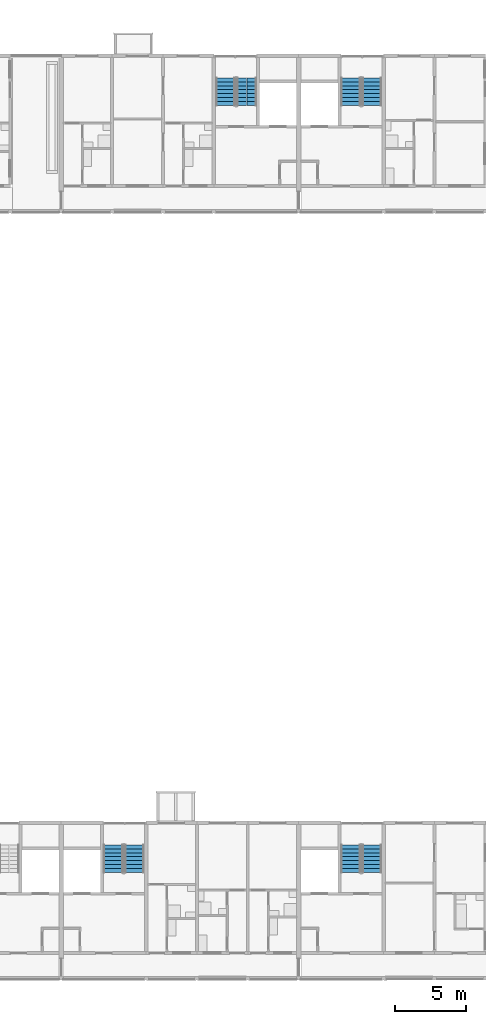
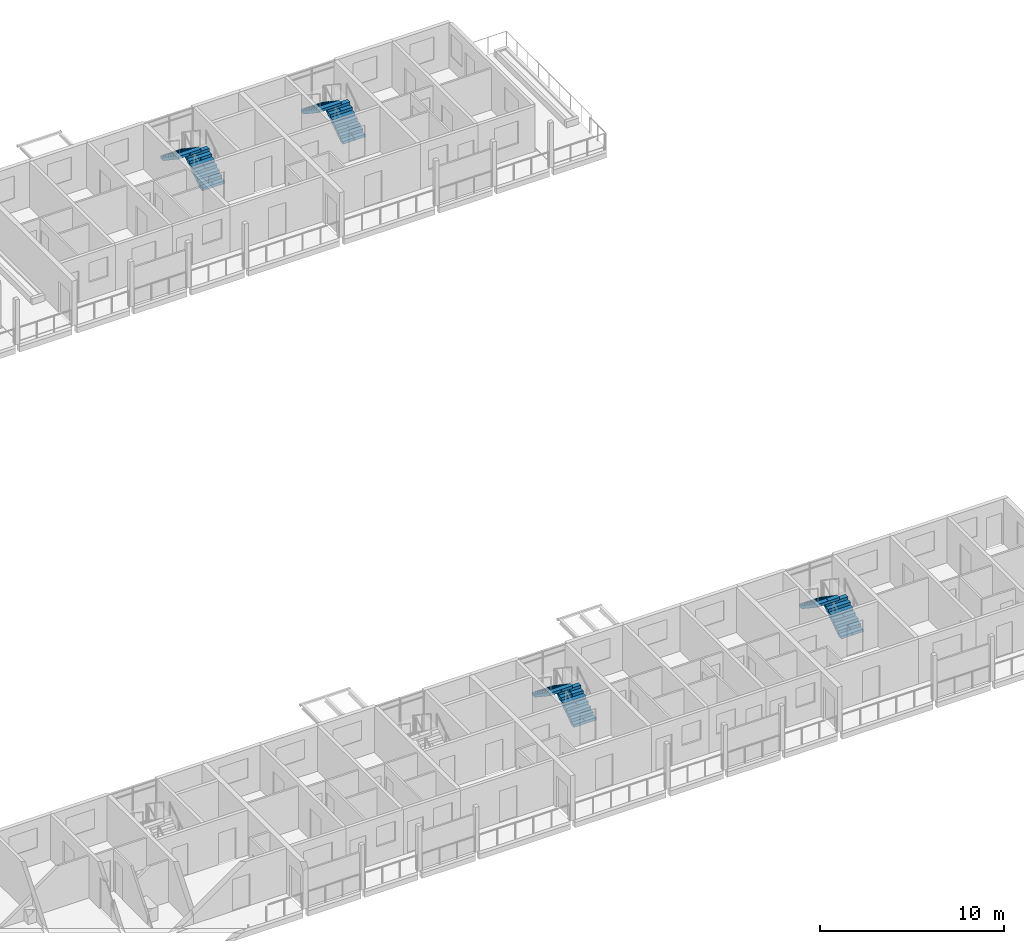
# One storey, part 62 of 94: 8 stair flights, 4 elements without a shape of their own.
"""IFC4 building model written with IfcOpenShell, lengths in metres."""

import ifcopenshell
import ifcopenshell.guid

model = None  # the IFC model being written
_history = None  # IfcOwnerHistory: only IFC2X3 demands one
_inside = {}  # id of a spatial element -> (the spatial element, [elements in it])
_under = {}  # id of a project, library or spatial element -> (it, [spatial elements below it])
_declared = {}  # id of a project -> (the project, [libraries it declares])
_typed = {}  # id of a type object -> (the type object, [elements of that type])
_made_of = {}  # id of a material, layer set ... -> (it, [elements and type objects made of it])


def new_model(schema):
    """Start an empty IFC model of exactly this schema.

    Asked for "IFC4X3", IfcOpenShell would pick the latest addendum, in which some entities
    have other attributes; the version numbers below select the first issue.
    IFC2X3 requires an IfcOwnerHistory on every rooted entity: one is made here for all.
    """
    global model, _history
    if schema == "IFC4X3":
        model = ifcopenshell.file(schema_version=(4, 3, 0, 0))
    else:
        model = ifcopenshell.file(schema=schema)
    _inside.clear()
    _under.clear()
    _declared.clear()
    _typed.clear()
    _made_of.clear()
    _history = None
    if model.schema == "IFC2X3":
        org = make("IfcOrganization", Name="unknown")
        user = make(
            "IfcPersonAndOrganization",
            ThePerson=make("IfcPerson", FamilyName="unknown"),
            TheOrganization=org,
        )
        app = make(
            "IfcApplication",
            ApplicationDeveloper=org,
            Version="unknown",
            ApplicationFullName="unknown",
            ApplicationIdentifier="unknown",
        )
        _history = make(
            "IfcOwnerHistory",
            OwningUser=user,
            OwningApplication=app,
            ChangeAction="ADDED",
            CreationDate=0,
        )
    return model


def make(cls, **values):
    """One entity of the class cls with the attributes given. An attribute that is None is left unset."""
    return model.create_entity(
        cls, **{name: value for name, value in values.items() if value is not None}
    )


def rooted(cls, **values):
    """An entity with a GlobalId (a new one), such as an element, a storey or a relation."""
    return make(cls, GlobalId=ifcopenshell.guid.new(), OwnerHistory=_history, **values)


def si_unit(unit_type, name, prefix=None):
    """IfcSIUnit, for example si_unit("LENGTHUNIT", "METRE", prefix="MILLI")."""
    return make("IfcSIUnit", UnitType=unit_type, Prefix=prefix, Name=name)


def assignment(units):
    """IfcUnitAssignment: the units of a project."""
    return None if units is None else make("IfcUnitAssignment", Units=units)


def point(xyz):
    """IfcCartesianPoint."""
    return None if xyz is None else make("IfcCartesianPoint", Coordinates=xyz)


def direction(xyz):
    """IfcDirection."""
    return None if xyz is None else make("IfcDirection", DirectionRatios=xyz)


def frame(location, z_axis=None, x_axis=None):
    """IfcAxis2Placement3D, a coordinate frame: its origin and axes. An axis left out is left unset."""
    return make(
        "IfcAxis2Placement3D",
        Location=point(location),
        Axis=direction(z_axis),
        RefDirection=direction(x_axis),
    )


def origin():
    """The frame at (0, 0, 0) with its axes left unset."""
    return frame((0.0, 0.0, 0.0))


def place(relative_to, where):
    """IfcLocalPlacement: puts the frame where relative to a parent placement (None: the world)."""
    return make(
        "IfcLocalPlacement", PlacementRelTo=relative_to, RelativePlacement=where
    )


def context(
    kind, dimensions, precision=None, world=None, true_north=None, identifier=None
):
    """IfcGeometricRepresentationContext, for example the 3D "Model" context."""
    return make(
        "IfcGeometricRepresentationContext",
        ContextIdentifier=identifier,
        ContextType=kind,
        CoordinateSpaceDimension=dimensions,
        Precision=precision,
        WorldCoordinateSystem=world,
        TrueNorth=true_north,
    )


def subcontext(parent, identifier, kind, view, scale=None):
    """IfcGeometricRepresentationSubContext, for example "Body" below "Model"."""
    return make(
        "IfcGeometricRepresentationSubContext",
        ContextIdentifier=identifier,
        ContextType=kind,
        ParentContext=parent,
        TargetScale=scale,
        TargetView=view,
    )


def project(units=None, contexts=None):
    """IfcProject with its units and contexts."""
    return rooted(
        "IfcProject",
        Name="project",
        RepresentationContexts=contexts,
        UnitsInContext=assignment(units),
    )


def spatial(cls, under=None, at=None, **own):
    """A site, building, storey or space (cls), placed at a placement, below another one or the project."""
    s = rooted(cls, ObjectPlacement=at, **own)
    if under is not None:
        _under.setdefault(under.id(), (under, []))[1].append(s)
    return s


def polyline(points):
    """IfcPolyline through the points."""
    return make("IfcPolyline", Points=[point(p) for p in points])


def outline(outer, holes=None, kind="AREA"):
    """IfcArbitraryClosedProfileDef: a profile drawn as a closed curve; with holes, ...WithVoids."""
    if holes is None:
        return make("IfcArbitraryClosedProfileDef", ProfileType=kind, OuterCurve=outer)
    return make(
        "IfcArbitraryProfileDefWithVoids",
        ProfileType=kind,
        OuterCurve=outer,
        InnerCurves=holes,
    )


def extrude(swept, where, along, depth):
    """IfcExtrudedAreaSolid: the profile swept, set in the frame where, extruded along a direction by depth."""
    return make(
        "IfcExtrudedAreaSolid",
        SweptArea=swept,
        Position=where,
        ExtrudedDirection=direction(along),
        Depth=depth,
    )


def shape(context_of_items, identifier, shape_type, items):
    """IfcShapeRepresentation: the items that make up one representation, for example the "Body"."""
    return make(
        "IfcShapeRepresentation",
        ContextOfItems=context_of_items,
        RepresentationIdentifier=identifier,
        RepresentationType=shape_type,
        Items=items,
    )


def material(Name=None, Category=None):
    """IfcMaterial."""
    return make("IfcMaterial", Name=Name, Category=Category)


def made_of(thing, what):
    """Note that an element or type object is made of a material, layer set ...; save() writes the relation."""
    if what is not None:
        _made_of.setdefault(what.id(), (what, []))[1].append(thing)
    return thing


def type_object(cls, material=None, **own):
    """A type object (cls), such as IfcWallType, which elements share."""
    return made_of(rooted(cls, **own), material)


def element(
    cls,
    number,
    at=None,
    inside=None,
    cuts=None,
    type_object=None,
    material=None,
    context=None,
    identifier="Body",
    shape_type=None,
    held_by="IfcProductDefinitionShape",
    body=None,
    shapes=None,
    **own,
):
    """One element of the class cls, such as IfcWall. Its Tag is "e" and its number.

    at: its placement. inside: the storey or other place that contains it. cuts: it is an
    opening in that element (IfcRelVoidsElement). A single representation is given by context,
    identifier, shape_type and body (its items); several are given by shapes. held_by: the class
    of the entity that holds the representations. save() writes the other relations.
    """
    e = rooted(cls, Tag="e%d" % number, ObjectPlacement=at, **own)
    if body is not None:
        shapes = [shape(context, identifier, shape_type, body)]
    if shapes is not None:
        e.Representation = make(held_by, Representations=shapes)
    if inside is not None:
        _inside.setdefault(inside.id(), (inside, []))[1].append(e)
    if cuts is not None:
        rooted(
            "IfcRelVoidsElement", RelatingBuildingElement=cuts, RelatedOpeningElement=e
        )
    if type_object is not None:
        _typed.setdefault(type_object.id(), (type_object, []))[1].append(e)
    return made_of(e, material)


def aggregate(whole, parts):
    """IfcRelAggregates: a whole, such as a stair, and the parts it consists of."""
    return rooted("IfcRelAggregates", RelatingObject=whole, RelatedObjects=parts)


def save(model, path):
    """Write the relations noted so far, then the file.

    IfcRelAggregates (storeys below a building ...), IfcRelContainedInSpatialStructure (elements
    in a storey), IfcRelDefinesByType, IfcRelAssociatesMaterial and IfcRelDeclares: one each for
    every whole, place, type object, material and project.
    """
    for whole, parts in _under.values():
        aggregate(whole, parts)
    for where, things in _inside.values():
        rooted(
            "IfcRelContainedInSpatialStructure",
            RelatedElements=things,
            RelatingStructure=where,
        )
    for kind, things in _typed.values():
        rooted("IfcRelDefinesByType", RelatedObjects=things, RelatingType=kind)
    for what, things in _made_of.values():
        rooted("IfcRelAssociatesMaterial", RelatedObjects=things, RelatingMaterial=what)
    for by, libraries in _declared.values():
        rooted("IfcRelDeclares", RelatingContext=by, RelatedDefinitions=libraries)
    model.write(path)


model = new_model("IFC4")

# Units and contexts
model_context = context("Model", 3, precision=1e-05, world=origin(), true_north=direction((0.0, 1.0)))
body_context = subcontext(model_context, "Body", "Model", "MODEL_VIEW")
ifc_project = project(units=[si_unit("LENGTHUNIT", "METRE"), si_unit("AREAUNIT", "SQUARE_METRE"), si_unit("VOLUMEUNIT", "CUBIC_METRE"), si_unit("PLANEANGLEUNIT", "RADIAN"), si_unit("MASSUNIT", "GRAM", prefix="KILO")], contexts=[model_context])

# Site, building, storey
site_placement = place(None, origin())
site = spatial("IfcSite", under=ifc_project, at=site_placement, CompositionType="ELEMENT")
building_placement = place(site_placement, origin())
building = spatial("IfcBuilding", under=site, at=building_placement, Name="Ridgestep Commons", CompositionType="ELEMENT")
storey_placement = place(building_placement, frame((0.0, 0.0, 21.0)))
storey = spatial("IfcBuildingStorey", under=building, at=storey_placement, Name="L07", CompositionType="ELEMENT", Elevation=21.0)

# Stair, stair flights
ifc_material_1 = material(Name="Precast concrete C40/50", Category="concrete")
stair_type = type_object("IfcStairType", Name="Escape stair 1400", PredefinedType="HALF_TURN_STAIR", material=ifc_material_1)
stair_1_placement = place(storey_placement, origin())
stair_1 = element("IfcStair", 1, at=stair_1_placement, inside=storey, type_object=stair_type, Name="L07 Escape stair C5C", PredefinedType="HALF_TURN_STAIR")
ifc_material_2 = material(Name="Precast concrete C40/50", Category="concrete")
stair_flight_type = type_object("IfcStairFlightType", Name="Stair flight 1400", PredefinedType="STRAIGHT", material=ifc_material_2)
stair_flight_1_placement = place(storey_placement, frame((227.125, 73.60009765625, 0.0), z_axis=(0.0, 0.0, 1.0), x_axis=(0.0, 1.0, 0.0)))
stair_flight_1 = element("IfcStairFlight", 2, at=stair_flight_1_placement, type_object=stair_flight_type, Name="C5C flight 1", NumberOfRisers=8, NumberOfTreads=7, PredefinedType="STRAIGHT", RiserHeight=0.1875, TreadLength=0.28, context=body_context, shape_type="SweptSolid", body=[
    extrude(outline(polyline([(0.0, 0.0), (0.0, 0.1875), (0.280029296875, 0.1875), (0.280029296875, 0.375), (0.56005859375, 0.375), (0.56005859375, 0.5625), (0.840087890625, 0.5625), (0.840087890625, 0.75), (1.1201171875, 0.75), (1.1201171875, 0.9375), (1.39990234375, 0.9375), (1.39990234375, 1.125), (1.679931640625, 1.125), (1.679931640625, 1.3125), (1.9599609375, 1.3125), (1.9599609375, 1.5), (1.9599609375, 1.132080078125), (0.26953125, 0.0), (0.0, 0.0)])), frame((0.0, 0.699951171875, 0.0), z_axis=(0.0, -1.0, 0.0), x_axis=(1.0, 0.0, 0.0)), (0.0, 0.0, 1.0), 0.695068359375),
    extrude(outline(polyline([(0.0, 0.0), (0.0, 0.1875), (0.280029296875, 0.1875), (0.280029296875, 0.375), (0.56005859375, 0.375), (0.56005859375, 0.5625), (0.840087890625, 0.5625), (0.840087890625, 0.75), (1.1201171875, 0.75), (1.1201171875, 0.9375), (1.39990234375, 0.9375), (1.39990234375, 1.125), (1.679931640625, 1.125), (1.679931640625, 1.3125), (1.9599609375, 1.3125), (1.9599609375, 1.5), (1.9599609375, 1.132080078125), (0.26953125, 0.0), (0.0, 0.0)])), frame((0.0, -0.0048828125, 0.0), z_axis=(0.0, -1.0, 0.0), x_axis=(1.0, 0.0, 0.0)), (0.0, 0.0, 1.0), 0.695068359375),
])
stair_flight_2_placement = place(storey_placement, frame((225.625, 75.56005859375, 1.5), z_axis=(0.0, 0.0, 1.0), x_axis=(0.0, -1.0, 0.0)))
stair_flight_2 = element("IfcStairFlight", 3, at=stair_flight_2_placement, type_object=stair_flight_type, Name="C5C flight 2", NumberOfRisers=8, NumberOfTreads=7, PredefinedType="STRAIGHT", RiserHeight=0.1875, TreadLength=0.28, context=body_context, shape_type="SweptSolid", body=[
    extrude(outline(polyline([(0.0, 0.0), (0.0, 0.1875), (0.280029296875, 0.1875), (0.280029296875, 0.375), (0.56005859375, 0.375), (0.56005859375, 0.5625), (0.840087890625, 0.5625), (0.840087890625, 0.75), (1.1201171875, 0.75), (1.1201171875, 0.9375), (1.39990234375, 0.9375), (1.39990234375, 1.125), (1.679931640625, 1.125), (1.679931640625, 1.3125), (1.9599609375, 1.3125), (1.9599609375, 1.5), (1.9599609375, 1.132080078125), (0.26953125, 0.0), (0.0, 0.0)])), frame((0.0, 0.699951171875, 0.0), z_axis=(0.0, -1.0, 0.0), x_axis=(1.0, 0.0, 0.0)), (0.0, 0.0, 1.0), 0.695068359375),
    extrude(outline(polyline([(0.0, 0.0), (0.0, 0.1875), (0.280029296875, 0.1875), (0.280029296875, 0.375), (0.56005859375, 0.375), (0.56005859375, 0.5625), (0.840087890625, 0.5625), (0.840087890625, 0.75), (1.1201171875, 0.75), (1.1201171875, 0.9375), (1.39990234375, 0.9375), (1.39990234375, 1.125), (1.679931640625, 1.125), (1.679931640625, 1.3125), (1.9599609375, 1.3125), (1.9599609375, 1.5), (1.9599609375, 1.132080078125), (0.26953125, 0.0), (0.0, 0.0)])), frame((0.0, -0.0048828125, 0.0), z_axis=(0.0, -1.0, 0.0), x_axis=(1.0, 0.0, 0.0)), (0.0, 0.0, 1.0), 0.695068359375),
])
aggregate(stair_1, [stair_flight_1, stair_flight_2])

stair_2_placement = place(storey_placement, origin())
stair_2 = element("IfcStair", 4, at=stair_2_placement, inside=storey, type_object=stair_type, Name="L07 Escape stair C6C", PredefinedType="HALF_TURN_STAIR")
stair_flight_3_placement = place(storey_placement, frame((235.97509765625, 73.60009765625, 0.0), z_axis=(0.0, 0.0, 1.0), x_axis=(0.0, 1.0, 0.0)))
stair_flight_3 = element("IfcStairFlight", 5, at=stair_flight_3_placement, type_object=stair_flight_type, Name="C6C flight 1", NumberOfRisers=8, NumberOfTreads=7, PredefinedType="STRAIGHT", RiserHeight=0.1875, TreadLength=0.28, context=body_context, shape_type="SweptSolid", body=[
    extrude(outline(polyline([(0.0, 0.0), (0.0, 0.1875), (0.280029296875, 0.1875), (0.280029296875, 0.375), (0.56005859375, 0.375), (0.56005859375, 0.5625), (0.840087890625, 0.5625), (0.840087890625, 0.75), (1.1201171875, 0.75), (1.1201171875, 0.9375), (1.39990234375, 0.9375), (1.39990234375, 1.125), (1.679931640625, 1.125), (1.679931640625, 1.3125), (1.9599609375, 1.3125), (1.9599609375, 1.5), (1.9599609375, 1.132080078125), (0.26953125, 0.0), (0.0, 0.0)])), frame((0.0, 0.699951171875, 0.0), z_axis=(0.0, -1.0, 0.0), x_axis=(1.0, 0.0, 0.0)), (0.0, 0.0, 1.0), 0.695068359375),
    extrude(outline(polyline([(0.0, 0.0), (0.0, 0.1875), (0.280029296875, 0.1875), (0.280029296875, 0.375), (0.56005859375, 0.375), (0.56005859375, 0.5625), (0.840087890625, 0.5625), (0.840087890625, 0.75), (1.1201171875, 0.75), (1.1201171875, 0.9375), (1.39990234375, 0.9375), (1.39990234375, 1.125), (1.679931640625, 1.125), (1.679931640625, 1.3125), (1.9599609375, 1.3125), (1.9599609375, 1.5), (1.9599609375, 1.132080078125), (0.26953125, 0.0), (0.0, 0.0)])), frame((0.0, -0.0048828125, 0.0), z_axis=(0.0, -1.0, 0.0), x_axis=(1.0, 0.0, 0.0)), (0.0, 0.0, 1.0), 0.695068359375),
])
stair_flight_4_placement = place(storey_placement, frame((234.47509765625, 75.56005859375, 1.5), z_axis=(0.0, 0.0, 1.0), x_axis=(0.0, -1.0, 0.0)))
stair_flight_4 = element("IfcStairFlight", 6, at=stair_flight_4_placement, type_object=stair_flight_type, Name="C6C flight 2", NumberOfRisers=8, NumberOfTreads=7, PredefinedType="STRAIGHT", RiserHeight=0.1875, TreadLength=0.28, context=body_context, shape_type="SweptSolid", body=[
    extrude(outline(polyline([(0.0, 0.0), (0.0, 0.1875), (0.280029296875, 0.1875), (0.280029296875, 0.375), (0.56005859375, 0.375), (0.56005859375, 0.5625), (0.840087890625, 0.5625), (0.840087890625, 0.75), (1.1201171875, 0.75), (1.1201171875, 0.9375), (1.39990234375, 0.9375), (1.39990234375, 1.125), (1.679931640625, 1.125), (1.679931640625, 1.3125), (1.9599609375, 1.3125), (1.9599609375, 1.5), (1.9599609375, 1.132080078125), (0.26953125, 0.0), (0.0, 0.0)])), frame((0.0, 0.699951171875, 0.0), z_axis=(0.0, -1.0, 0.0), x_axis=(1.0, 0.0, 0.0)), (0.0, 0.0, 1.0), 0.695068359375),
    extrude(outline(polyline([(0.0, 0.0), (0.0, 0.1875), (0.280029296875, 0.1875), (0.280029296875, 0.375), (0.56005859375, 0.375), (0.56005859375, 0.5625), (0.840087890625, 0.5625), (0.840087890625, 0.75), (1.1201171875, 0.75), (1.1201171875, 0.9375), (1.39990234375, 0.9375), (1.39990234375, 1.125), (1.679931640625, 1.125), (1.679931640625, 1.3125), (1.9599609375, 1.3125), (1.9599609375, 1.5), (1.9599609375, 1.132080078125), (0.26953125, 0.0), (0.0, 0.0)])), frame((0.0, -0.0048828125, 0.0), z_axis=(0.0, -1.0, 0.0), x_axis=(1.0, 0.0, 0.0)), (0.0, 0.0, 1.0), 0.695068359375),
])
aggregate(stair_2, [stair_flight_3, stair_flight_4])

stair_3_placement = place(storey_placement, origin())
stair_3 = element("IfcStair", 7, at=stair_3_placement, inside=storey, type_object=stair_type, Name="L07 Escape stair D5C", PredefinedType="HALF_TURN_STAIR")
stair_flight_5_placement = place(storey_placement, frame((219.175048828125, 19.35009765625, 0.0), z_axis=(0.0, 0.0, 1.0), x_axis=(0.0, 1.0, 0.0)))
stair_flight_5 = element("IfcStairFlight", 8, at=stair_flight_5_placement, type_object=stair_flight_type, Name="D5C flight 1", NumberOfRisers=8, NumberOfTreads=7, PredefinedType="STRAIGHT", RiserHeight=0.1875, TreadLength=0.28, context=body_context, shape_type="SweptSolid", body=[
    extrude(outline(polyline([(0.0, 0.0), (0.0, 0.1875), (0.280029296875, 0.1875), (0.280029296875, 0.375), (0.56005859375, 0.375), (0.56005859375, 0.5625), (0.840087890625, 0.5625), (0.840087890625, 0.75), (1.1201171875, 0.75), (1.1201171875, 0.9375), (1.39990234375, 0.9375), (1.39990234375, 1.125), (1.679931640625, 1.125), (1.679931640625, 1.3125), (1.9599609375, 1.3125), (1.9599609375, 1.5), (1.9599609375, 1.132080078125), (0.26953125, 0.0), (0.0, 0.0)])), frame((0.0, 0.699951171875, 0.0), z_axis=(0.0, -1.0, 0.0), x_axis=(1.0, 0.0, 0.0)), (0.0, 0.0, 1.0), 0.695068359375),
    extrude(outline(polyline([(0.0, 0.0), (0.0, 0.1875), (0.280029296875, 0.1875), (0.280029296875, 0.375), (0.56005859375, 0.375), (0.56005859375, 0.5625), (0.840087890625, 0.5625), (0.840087890625, 0.75), (1.1201171875, 0.75), (1.1201171875, 0.9375), (1.39990234375, 0.9375), (1.39990234375, 1.125), (1.679931640625, 1.125), (1.679931640625, 1.3125), (1.9599609375, 1.3125), (1.9599609375, 1.5), (1.9599609375, 1.132080078125), (0.26953125, 0.0), (0.0, 0.0)])), frame((0.0, -0.0048828125, 0.0), z_axis=(0.0, -1.0, 0.0), x_axis=(1.0, 0.0, 0.0)), (0.0, 0.0, 1.0), 0.695068359375),
])
stair_flight_6_placement = place(storey_placement, frame((217.675048828125, 21.31005859375, 1.5), z_axis=(0.0, 0.0, 1.0), x_axis=(0.0, -1.0, 0.0)))
stair_flight_6 = element("IfcStairFlight", 9, at=stair_flight_6_placement, type_object=stair_flight_type, Name="D5C flight 2", NumberOfRisers=8, NumberOfTreads=7, PredefinedType="STRAIGHT", RiserHeight=0.1875, TreadLength=0.28, context=body_context, shape_type="SweptSolid", body=[
    extrude(outline(polyline([(0.0, 0.0), (0.0, 0.1875), (0.280029296875, 0.1875), (0.280029296875, 0.375), (0.56005859375, 0.375), (0.56005859375, 0.5625), (0.840087890625, 0.5625), (0.840087890625, 0.75), (1.1201171875, 0.75), (1.1201171875, 0.9375), (1.39990234375, 0.9375), (1.39990234375, 1.125), (1.679931640625, 1.125), (1.679931640625, 1.3125), (1.9599609375, 1.3125), (1.9599609375, 1.5), (1.9599609375, 1.132080078125), (0.26953125, 0.0), (0.0, 0.0)])), frame((0.0, 0.699951171875, 0.0), z_axis=(0.0, -1.0, 0.0), x_axis=(1.0, 0.0, 0.0)), (0.0, 0.0, 1.0), 0.695068359375),
    extrude(outline(polyline([(0.0, 0.0), (0.0, 0.1875), (0.280029296875, 0.1875), (0.280029296875, 0.375), (0.56005859375, 0.375), (0.56005859375, 0.5625), (0.840087890625, 0.5625), (0.840087890625, 0.75), (1.1201171875, 0.75), (1.1201171875, 0.9375), (1.39990234375, 0.9375), (1.39990234375, 1.125), (1.679931640625, 1.125), (1.679931640625, 1.3125), (1.9599609375, 1.3125), (1.9599609375, 1.5), (1.9599609375, 1.132080078125), (0.26953125, 0.0), (0.0, 0.0)])), frame((0.0, -0.0048828125, 0.0), z_axis=(0.0, -1.0, 0.0), x_axis=(1.0, 0.0, 0.0)), (0.0, 0.0, 1.0), 0.695068359375),
])
aggregate(stair_3, [stair_flight_5, stair_flight_6])

stair_4_placement = place(storey_placement, origin())
stair_4 = element("IfcStair", 10, at=stair_4_placement, inside=storey, type_object=stair_type, Name="L07 Escape stair D6C", PredefinedType="HALF_TURN_STAIR")
stair_flight_7_placement = place(storey_placement, frame((235.97509765625, 19.35009765625, 0.0), z_axis=(0.0, 0.0, 1.0), x_axis=(0.0, 1.0, 0.0)))
stair_flight_7 = element("IfcStairFlight", 11, at=stair_flight_7_placement, type_object=stair_flight_type, Name="D6C flight 1", NumberOfRisers=8, NumberOfTreads=7, PredefinedType="STRAIGHT", RiserHeight=0.1875, TreadLength=0.28, context=body_context, shape_type="SweptSolid", body=[
    extrude(outline(polyline([(0.0, 0.0), (0.0, 0.1875), (0.280029296875, 0.1875), (0.280029296875, 0.375), (0.56005859375, 0.375), (0.56005859375, 0.5625), (0.840087890625, 0.5625), (0.840087890625, 0.75), (1.1201171875, 0.75), (1.1201171875, 0.9375), (1.39990234375, 0.9375), (1.39990234375, 1.125), (1.679931640625, 1.125), (1.679931640625, 1.3125), (1.9599609375, 1.3125), (1.9599609375, 1.5), (1.9599609375, 1.132080078125), (0.26953125, 0.0), (0.0, 0.0)])), frame((0.0, 0.699951171875, 0.0), z_axis=(0.0, -1.0, 0.0), x_axis=(1.0, 0.0, 0.0)), (0.0, 0.0, 1.0), 0.695068359375),
    extrude(outline(polyline([(0.0, 0.0), (0.0, 0.1875), (0.280029296875, 0.1875), (0.280029296875, 0.375), (0.56005859375, 0.375), (0.56005859375, 0.5625), (0.840087890625, 0.5625), (0.840087890625, 0.75), (1.1201171875, 0.75), (1.1201171875, 0.9375), (1.39990234375, 0.9375), (1.39990234375, 1.125), (1.679931640625, 1.125), (1.679931640625, 1.3125), (1.9599609375, 1.3125), (1.9599609375, 1.5), (1.9599609375, 1.132080078125), (0.26953125, 0.0), (0.0, 0.0)])), frame((0.0, -0.0048828125, 0.0), z_axis=(0.0, -1.0, 0.0), x_axis=(1.0, 0.0, 0.0)), (0.0, 0.0, 1.0), 0.695068359375),
])
stair_flight_8_placement = place(storey_placement, frame((234.47509765625, 21.31005859375, 1.5), z_axis=(0.0, 0.0, 1.0), x_axis=(0.0, -1.0, 0.0)))
stair_flight_8 = element("IfcStairFlight", 12, at=stair_flight_8_placement, type_object=stair_flight_type, Name="D6C flight 2", NumberOfRisers=8, NumberOfTreads=7, PredefinedType="STRAIGHT", RiserHeight=0.1875, TreadLength=0.28, context=body_context, shape_type="SweptSolid", body=[
    extrude(outline(polyline([(0.0, 0.0), (0.0, 0.1875), (0.280029296875, 0.1875), (0.280029296875, 0.375), (0.56005859375, 0.375), (0.56005859375, 0.5625), (0.840087890625, 0.5625), (0.840087890625, 0.75), (1.1201171875, 0.75), (1.1201171875, 0.9375), (1.39990234375, 0.9375), (1.39990234375, 1.125), (1.679931640625, 1.125), (1.679931640625, 1.3125), (1.9599609375, 1.3125), (1.9599609375, 1.5), (1.9599609375, 1.132080078125), (0.26953125, 0.0), (0.0, 0.0)])), frame((0.0, 0.699951171875, 0.0), z_axis=(0.0, -1.0, 0.0), x_axis=(1.0, 0.0, 0.0)), (0.0, 0.0, 1.0), 0.695068359375),
    extrude(outline(polyline([(0.0, 0.0), (0.0, 0.1875), (0.280029296875, 0.1875), (0.280029296875, 0.375), (0.56005859375, 0.375), (0.56005859375, 0.5625), (0.840087890625, 0.5625), (0.840087890625, 0.75), (1.1201171875, 0.75), (1.1201171875, 0.9375), (1.39990234375, 0.9375), (1.39990234375, 1.125), (1.679931640625, 1.125), (1.679931640625, 1.3125), (1.9599609375, 1.3125), (1.9599609375, 1.5), (1.9599609375, 1.132080078125), (0.26953125, 0.0), (0.0, 0.0)])), frame((0.0, -0.0048828125, 0.0), z_axis=(0.0, -1.0, 0.0), x_axis=(1.0, 0.0, 0.0)), (0.0, 0.0, 1.0), 0.695068359375),
])
aggregate(stair_4, [stair_flight_7, stair_flight_8])

save(model, "model.ifc")
